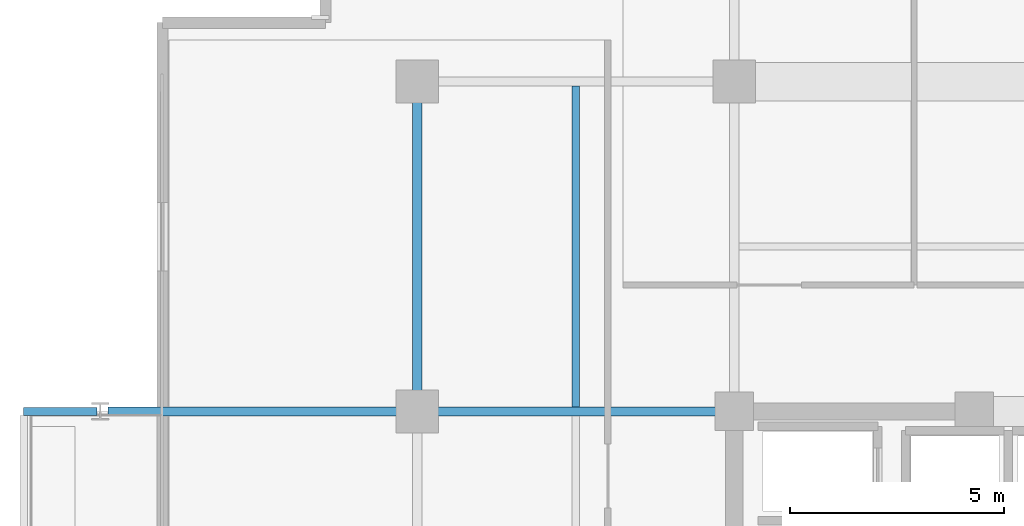
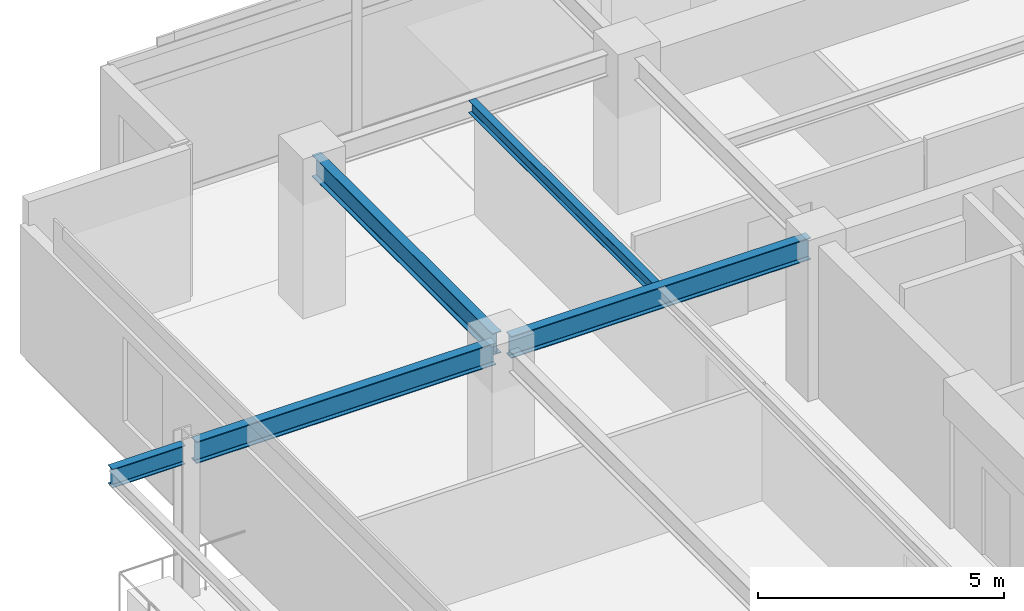
# One storey, part 5 of 21: 5 beams.
"""IFC4 building model written with IfcOpenShell, lengths in metres."""

import ifcopenshell
import ifcopenshell.guid

model = None  # the IFC model being written
_history = None  # IfcOwnerHistory: only IFC2X3 demands one
_inside = {}  # id of a spatial element -> (the spatial element, [elements in it])
_under = {}  # id of a project, library or spatial element -> (it, [spatial elements below it])
_declared = {}  # id of a project -> (the project, [libraries it declares])
_typed = {}  # id of a type object -> (the type object, [elements of that type])
_made_of = {}  # id of a material, layer set ... -> (it, [elements and type objects made of it])


def new_model(schema):
    """Start an empty IFC model of exactly this schema.

    Asked for "IFC4X3", IfcOpenShell would pick the latest addendum, in which some entities
    have other attributes; the version numbers below select the first issue.
    IFC2X3 requires an IfcOwnerHistory on every rooted entity: one is made here for all.
    """
    global model, _history
    if schema == "IFC4X3":
        model = ifcopenshell.file(schema_version=(4, 3, 0, 0))
    else:
        model = ifcopenshell.file(schema=schema)
    _inside.clear()
    _under.clear()
    _declared.clear()
    _typed.clear()
    _made_of.clear()
    _history = None
    if model.schema == "IFC2X3":
        org = make("IfcOrganization", Name="unknown")
        user = make(
            "IfcPersonAndOrganization",
            ThePerson=make("IfcPerson", FamilyName="unknown"),
            TheOrganization=org,
        )
        app = make(
            "IfcApplication",
            ApplicationDeveloper=org,
            Version="unknown",
            ApplicationFullName="unknown",
            ApplicationIdentifier="unknown",
        )
        _history = make(
            "IfcOwnerHistory",
            OwningUser=user,
            OwningApplication=app,
            ChangeAction="ADDED",
            CreationDate=0,
        )
    return model


def make(cls, **values):
    """One entity of the class cls with the attributes given. An attribute that is None is left unset."""
    return model.create_entity(
        cls, **{name: value for name, value in values.items() if value is not None}
    )


def rooted(cls, **values):
    """An entity with a GlobalId (a new one), such as an element, a storey or a relation."""
    return make(cls, GlobalId=ifcopenshell.guid.new(), OwnerHistory=_history, **values)


def si_unit(unit_type, name, prefix=None):
    """IfcSIUnit, for example si_unit("LENGTHUNIT", "METRE", prefix="MILLI")."""
    return make("IfcSIUnit", UnitType=unit_type, Prefix=prefix, Name=name)


def assignment(units):
    """IfcUnitAssignment: the units of a project."""
    return None if units is None else make("IfcUnitAssignment", Units=units)


def point(xyz):
    """IfcCartesianPoint."""
    return None if xyz is None else make("IfcCartesianPoint", Coordinates=xyz)


def direction(xyz):
    """IfcDirection."""
    return None if xyz is None else make("IfcDirection", DirectionRatios=xyz)


def frame(location, z_axis=None, x_axis=None):
    """IfcAxis2Placement3D, a coordinate frame: its origin and axes. An axis left out is left unset."""
    return make(
        "IfcAxis2Placement3D",
        Location=point(location),
        Axis=direction(z_axis),
        RefDirection=direction(x_axis),
    )


def frame_2d(location, x_axis=None):
    """IfcAxis2Placement2D, a coordinate frame in the plane: its origin and x axis."""
    return make(
        "IfcAxis2Placement2D", Location=point(location), RefDirection=direction(x_axis)
    )


def origin():
    """The frame at (0, 0, 0) with its axes left unset."""
    return frame((0.0, 0.0, 0.0))


def origin_2d():
    """The frame at (0, 0) in the plane with its x axis left unset."""
    return frame_2d((0.0, 0.0))


def place(relative_to, where):
    """IfcLocalPlacement: puts the frame where relative to a parent placement (None: the world)."""
    return make(
        "IfcLocalPlacement", PlacementRelTo=relative_to, RelativePlacement=where
    )


def context(
    kind, dimensions, precision=None, world=None, true_north=None, identifier=None
):
    """IfcGeometricRepresentationContext, for example the 3D "Model" context."""
    return make(
        "IfcGeometricRepresentationContext",
        ContextIdentifier=identifier,
        ContextType=kind,
        CoordinateSpaceDimension=dimensions,
        Precision=precision,
        WorldCoordinateSystem=world,
        TrueNorth=true_north,
    )


def subcontext(parent, identifier, kind, view, scale=None):
    """IfcGeometricRepresentationSubContext, for example "Body" below "Model"."""
    return make(
        "IfcGeometricRepresentationSubContext",
        ContextIdentifier=identifier,
        ContextType=kind,
        ParentContext=parent,
        TargetScale=scale,
        TargetView=view,
    )


def project(units=None, contexts=None):
    """IfcProject with its units and contexts."""
    return rooted(
        "IfcProject",
        Name="project",
        RepresentationContexts=contexts,
        UnitsInContext=assignment(units),
    )


def spatial(cls, under=None, at=None, **own):
    """A site, building, storey or space (cls), placed at a placement, below another one or the project."""
    s = rooted(cls, ObjectPlacement=at, **own)
    if under is not None:
        _under.setdefault(under.id(), (under, []))[1].append(s)
    return s


def profile(cls, at=None, kind="AREA", **sizes):
    """A parametric profile (cls). Its sizes go by their IFC names, for example OverallWidth=200.0."""
    return make(cls, ProfileType=kind, Position=at, **sizes)


def i_section(**sizes):
    """IfcIShapeProfileDef."""
    return profile("IfcIShapeProfileDef", **sizes)


def extrude(swept, where, along, depth):
    """IfcExtrudedAreaSolid: the profile swept, set in the frame where, extruded along a direction by depth."""
    return make(
        "IfcExtrudedAreaSolid",
        SweptArea=swept,
        Position=where,
        ExtrudedDirection=direction(along),
        Depth=depth,
    )


def shape(context_of_items, identifier, shape_type, items):
    """IfcShapeRepresentation: the items that make up one representation, for example the "Body"."""
    return make(
        "IfcShapeRepresentation",
        ContextOfItems=context_of_items,
        RepresentationIdentifier=identifier,
        RepresentationType=shape_type,
        Items=items,
    )


def material(Name=None, Category=None):
    """IfcMaterial."""
    return make("IfcMaterial", Name=Name, Category=Category)


def material_profile(
    of_material, cross_section, Name=None, Category=None, Priority=None
):
    """IfcMaterialProfile: a cross section and its material."""
    return make(
        "IfcMaterialProfile",
        Name=Name,
        Material=of_material,
        Profile=cross_section,
        Priority=Priority,
        Category=Category,
    )


def profile_set(profiles, Name=None, composite=None):
    """IfcMaterialProfileSet."""
    return make(
        "IfcMaterialProfileSet",
        Name=Name,
        MaterialProfiles=profiles,
        CompositeProfile=composite,
    )


def made_of(thing, what):
    """Note that an element or type object is made of a material, layer set ...; save() writes the relation."""
    if what is not None:
        _made_of.setdefault(what.id(), (what, []))[1].append(thing)
    return thing


def type_object(cls, material=None, **own):
    """A type object (cls), such as IfcWallType, which elements share."""
    return made_of(rooted(cls, **own), material)


def element(
    cls,
    number,
    at=None,
    inside=None,
    cuts=None,
    type_object=None,
    material=None,
    context=None,
    identifier="Body",
    shape_type=None,
    held_by="IfcProductDefinitionShape",
    body=None,
    shapes=None,
    **own,
):
    """One element of the class cls, such as IfcWall. Its Tag is "e" and its number.

    at: its placement. inside: the storey or other place that contains it. cuts: it is an
    opening in that element (IfcRelVoidsElement). A single representation is given by context,
    identifier, shape_type and body (its items); several are given by shapes. held_by: the class
    of the entity that holds the representations. save() writes the other relations.
    """
    e = rooted(cls, Tag="e%d" % number, ObjectPlacement=at, **own)
    if body is not None:
        shapes = [shape(context, identifier, shape_type, body)]
    if shapes is not None:
        e.Representation = make(held_by, Representations=shapes)
    if inside is not None:
        _inside.setdefault(inside.id(), (inside, []))[1].append(e)
    if cuts is not None:
        rooted(
            "IfcRelVoidsElement", RelatingBuildingElement=cuts, RelatedOpeningElement=e
        )
    if type_object is not None:
        _typed.setdefault(type_object.id(), (type_object, []))[1].append(e)
    return made_of(e, material)


def aggregate(whole, parts):
    """IfcRelAggregates: a whole, such as a stair, and the parts it consists of."""
    return rooted("IfcRelAggregates", RelatingObject=whole, RelatedObjects=parts)


def save(model, path):
    """Write the relations noted so far, then the file.

    IfcRelAggregates (storeys below a building ...), IfcRelContainedInSpatialStructure (elements
    in a storey), IfcRelDefinesByType, IfcRelAssociatesMaterial and IfcRelDeclares: one each for
    every whole, place, type object, material and project.
    """
    for whole, parts in _under.values():
        aggregate(whole, parts)
    for where, things in _inside.values():
        rooted(
            "IfcRelContainedInSpatialStructure",
            RelatedElements=things,
            RelatingStructure=where,
        )
    for kind, things in _typed.values():
        rooted("IfcRelDefinesByType", RelatedObjects=things, RelatingType=kind)
    for what, things in _made_of.values():
        rooted("IfcRelAssociatesMaterial", RelatedObjects=things, RelatingMaterial=what)
    for by, libraries in _declared.values():
        rooted("IfcRelDeclares", RelatingContext=by, RelatedDefinitions=libraries)
    model.write(path)


model = new_model("IFC4")

# Units and contexts
model_context = context("Model", 3, precision=1e-05, world=origin(), true_north=direction((0.0, 1.0)))
body_context = subcontext(model_context, "Body", "Model", "MODEL_VIEW")
ifc_project = project(units=[si_unit("LENGTHUNIT", "METRE"), si_unit("AREAUNIT", "SQUARE_METRE"), si_unit("VOLUMEUNIT", "CUBIC_METRE"), si_unit("PLANEANGLEUNIT", "RADIAN"), si_unit("MASSUNIT", "GRAM", prefix="KILO")], contexts=[model_context])

# Site, building, storey
site_placement = place(None, origin())
site = spatial("IfcSite", under=ifc_project, at=site_placement, CompositionType="ELEMENT")
building_placement = place(site_placement, origin())
building = spatial("IfcBuilding", under=site, at=building_placement, Name="Kovane Verandah Tower", CompositionType="ELEMENT")
storey_placement = place(building_placement, frame((0.0, 0.0, 310.800048828125)))
storey = spatial("IfcBuildingStorey", under=building, at=storey_placement, Name="L72", CompositionType="ELEMENT", Elevation=310.800048828125)

# Beams
ifc_material = material(Name="Steel S355", Category="steel")
ifc_material_profile_1 = material_profile(ifc_material, i_section(OverallWidth=0.2119140625, OverallDepth=0.54443359375, WebThickness=0.0126953125, FlangeThickness=0.021240234375, FilletRadius=0.0126953125, at=origin_2d()), Name="UB533x210x122")
ifc_profile_set_1 = profile_set([ifc_material_profile_1], Name="Steel S355")
beam_type_1 = type_object("IfcBeamType", Name="BM-UB533x122", PredefinedType="BEAM", material=ifc_profile_set_1)
beam_1_placement = place(storey_placement, frame((21.60009765625, 36.679931640625, 3.5126953125), z_axis=(0.0, 1.0, 0.0), x_axis=(-1.0, 0.0, 0.0)))
element("IfcBeam", 1, at=beam_1_placement, inside=storey, type_object=beam_type_1, Name="L72 Primary Tower Girder G-RW3", PredefinedType="BEAM", context=body_context, shape_type="SweptSolid", body=[
    extrude(i_section(OverallWidth=0.2119140625, OverallDepth=0.54443359375, WebThickness=0.0126953125, FlangeThickness=0.021240234375, FilletRadius=0.0126953125, at=origin_2d()), origin(), (0.0, 0.0, 1.0), 7.340087890625),
])
for number, where, z_axis, x_axis, name in (
    (2, (28.820068359375, 36.5, 3.5126953125), (-1.0, 0.0, 0.0), (0.0, -1.0, 0.0), "L72 Primary Tower Girder G-W2"),
    (3, (21.419921875, 36.5, 3.48779296875), (-1.0, 0.0, 0.0), (0.0, -1.0, 0.0), "L72 Primary Tower Girder G-VW2"),
):
    element("IfcBeam", number, at=place(storey_placement, frame(where, z_axis=z_axis, x_axis=x_axis)), inside=storey, type_object=beam_type_1, Name=name, PredefinedType="BEAM", context=body_context, shape_type="SweptSolid", body=[
        extrude(i_section(OverallWidth=0.2119140625, OverallDepth=0.54443359375, WebThickness=0.0126953125, FlangeThickness=0.021240234375, FilletRadius=0.0126953125, at=origin_2d()), origin(), (0.0, 0.0, 1.0), 7.0400390625),
    ])
ifc_material_profile_2 = material_profile(ifc_material, i_section(OverallWidth=0.1669921875, OverallDepth=0.310302734375, WebThickness=0.0078125, FlangeThickness=0.013671875, FilletRadius=0.0087890625, at=origin_2d()), Name="UB305x165x54")
ifc_profile_set_2 = profile_set([ifc_material_profile_2], Name="Steel S355")
beam_type_2 = type_object("IfcBeamType", Name="JST-UB305x54", PredefinedType="JOIST", material=ifc_profile_set_2)
beam_2_placement = place(storey_placement, frame((25.300048828125, 36.60400390625, 3.629638671875), z_axis=(0.0, 1.0, 0.0), x_axis=(-1.0, 0.0, 0.0)))
element("IfcBeam", 4, at=beam_2_placement, inside=storey, type_object=beam_type_2, Name="L72 Secondary Composite Joist J-NW1", PredefinedType="JOIST", context=body_context, shape_type="SweptSolid", body=[
    extrude(i_section(OverallWidth=0.1669921875, OverallDepth=0.310302734375, WebThickness=0.0078125, FlangeThickness=0.013671875, FilletRadius=0.0087890625, at=origin_2d()), origin(), (0.0, 0.0, 1.0), 7.491943359375),
])
ifc_material_profile_3 = material_profile(ifc_material, i_section(OverallWidth=0.19287109375, OverallDepth=0.46728515625, WebThickness=0.011474609375, FlangeThickness=0.01953125, FilletRadius=0.01025390625, at=origin_2d()), Name="UB457x191x98")
ifc_profile_set_3 = profile_set([ifc_material_profile_3], Name="Steel S355")
beam_type_3 = type_object("IfcBeamType", Name="JST-UB457x98", PredefinedType="JOIST", material=ifc_profile_set_3)
beam_3_placement = place(storey_placement, frame((14.1201171875, 36.5, 3.5263671875), z_axis=(-1.0, 0.0, 0.0), x_axis=(0.0, -1.0, 0.0)))
element("IfcBeam", 5, at=beam_3_placement, inside=storey, type_object=beam_type_3, Name="L72 West Planter Girder 2", PredefinedType="JOIST", context=body_context, shape_type="SweptSolid", body=[
    extrude(i_section(OverallWidth=0.19287109375, OverallDepth=0.46728515625, WebThickness=0.011474609375, FlangeThickness=0.01953125, FilletRadius=0.01025390625, at=origin_2d()), origin(), (0.0, 0.0, 1.0), 1.70654296875),
])

save(model, "model.ifc")
